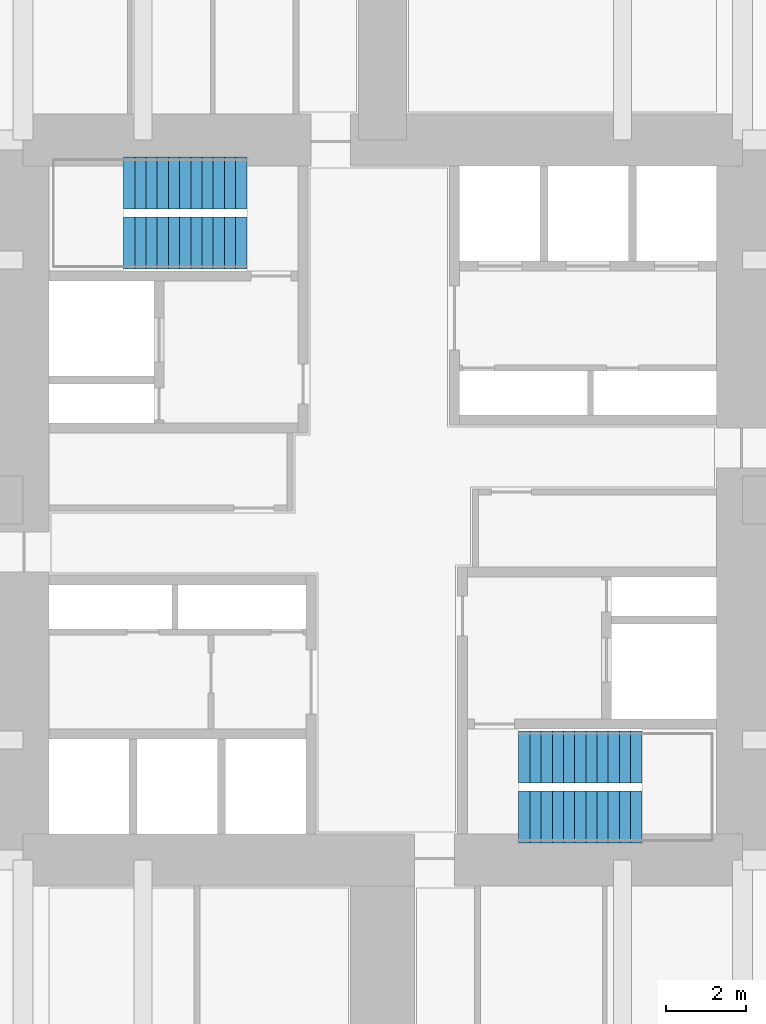
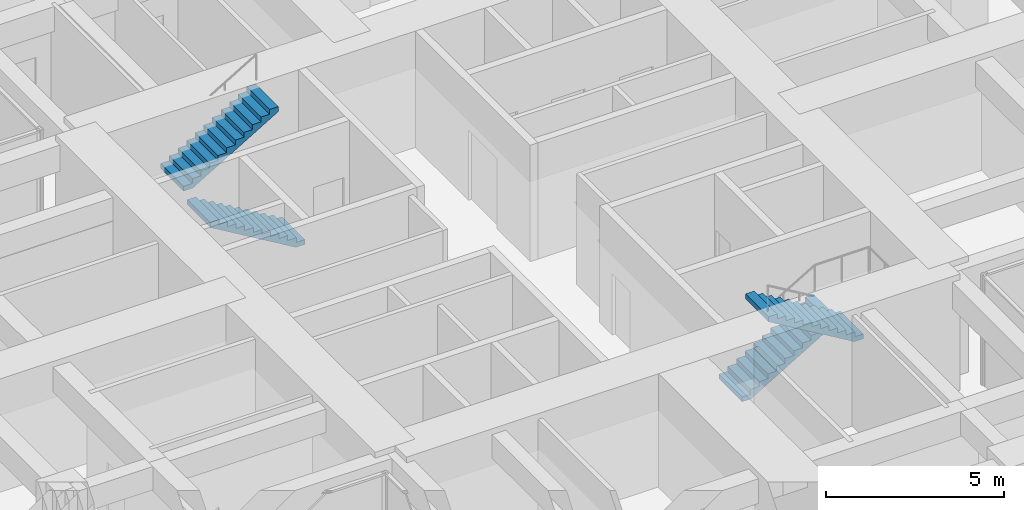
# One storey, part 12 of 13: 4 stair flights, 2 elements without a shape of their own.
"""IFC4 building model written with IfcOpenShell, lengths in metres."""

from ifc_helpers import new_model, si_unit, direction, frame, origin, place, context, subcontext, project, spatial, polyline, outline, extrude, material, type_object, element, aggregate, save


model = new_model("IFC4")

# Units and contexts
model_context = context("Model", 3, precision=1e-05, world=origin(), true_north=direction((0.0, 1.0)))
body_context = subcontext(model_context, "Body", "Model", "MODEL_VIEW")
ifc_project = project(units=[si_unit("LENGTHUNIT", "METRE"), si_unit("AREAUNIT", "SQUARE_METRE"), si_unit("VOLUMEUNIT", "CUBIC_METRE"), si_unit("PLANEANGLEUNIT", "RADIAN"), si_unit("MASSUNIT", "GRAM", prefix="KILO")], contexts=[model_context])

# Site, building, storey
site_placement = place(None, origin())
site = spatial("IfcSite", under=ifc_project, at=site_placement, CompositionType="ELEMENT")
building_placement = place(site_placement, origin())
building = spatial("IfcBuilding", under=site, at=building_placement, Name="Torre Cruceta", CompositionType="ELEMENT")
storey_placement = place(building_placement, frame((0.0, 0.0, 55.5)))
storey = spatial("IfcBuildingStorey", under=building, at=storey_placement, Name="L13", CompositionType="ELEMENT", Elevation=55.5)

# Stair, stair flights
ifc_material_1 = material(Name="Concrete G30 (fck 30 MPa)", Category="concrete")
stair_type = type_object("IfcStairType", Name="STAIR HALF-TURN 1300", PredefinedType="HALF_TURN_STAIR", material=ifc_material_1)
stair_1_placement = place(storey_placement, origin())
stair_1 = element("IfcStair", 1, at=stair_1_placement, inside=storey, type_object=stair_type, Name="Stair ST1 L13", PredefinedType="HALF_TURN_STAIR")
ifc_material_2 = material(Name="Concrete G30 (fck 30 MPa)", Category="concrete")
stair_flight_type = type_object("IfcStairFlightType", Name="STAIR FLIGHT 1300", PredefinedType="STRAIGHT", material=ifc_material_2)
stair_flight_1_placement = place(storey_placement, frame((-3.39990234375, 6.425048828125, 0.0), z_axis=(0.0, 0.0, 1.0), x_axis=(-1.0, 0.0, 0.0)))
stair_flight_1 = element("IfcStairFlight", 2, at=stair_flight_1_placement, type_object=stair_flight_type, Name="ST1 flight 1", NumberOfRisers=12, NumberOfTreads=11, PredefinedType="STRAIGHT", RiserHeight=0.166666667, TreadLength=0.28, context=body_context, shape_type="SweptSolid", body=[
    extrude(outline(polyline([(0.0, 0.0), (0.0, 0.166748046875), (0.280029296875, 0.166748046875), (0.280029296875, 0.333251953125), (0.56005859375, 0.333251953125), (0.56005859375, 0.5), (0.840087890625, 0.5), (0.840087890625, 0.666748046875), (1.1201171875, 0.666748046875), (1.1201171875, 0.833251953125), (1.39990234375, 0.833251953125), (1.39990234375, 1.0), (1.679931640625, 1.0), (1.679931640625, 1.166748046875), (1.9599609375, 1.166748046875), (1.9599609375, 1.333251953125), (2.239990234375, 1.333251953125), (2.239990234375, 1.5), (2.52001953125, 1.5), (2.52001953125, 1.666748046875), (2.800048828125, 1.666748046875), (2.800048828125, 1.833251953125), (3.080078125, 1.833251953125), (3.080078125, 2.0), (3.080078125, 1.658935546875), (0.29296875, 0.0), (0.0, 0.0)])), frame((0.0, 0.64990234375, 0.0), z_axis=(0.0, -1.0, 0.0), x_axis=(1.0, 0.0, 0.0)), (0.0, 0.0, 1.0), 1.300048828125),
])
stair_flight_2_placement = place(storey_placement, frame((-6.47998046875, 7.925048828125, 2.0), z_axis=(0.0, 0.0, 1.0), x_axis=(1.0, 0.0, 0.0)))
stair_flight_2 = element("IfcStairFlight", 3, at=stair_flight_2_placement, type_object=stair_flight_type, Name="ST1 flight 2", NumberOfRisers=12, NumberOfTreads=11, PredefinedType="STRAIGHT", RiserHeight=0.166666667, TreadLength=0.28, context=body_context, shape_type="SweptSolid", body=[
    extrude(outline(polyline([(0.0, 0.0), (0.0, 0.166748046875), (0.280029296875, 0.166748046875), (0.280029296875, 0.333251953125), (0.56005859375, 0.333251953125), (0.56005859375, 0.5), (0.840087890625, 0.5), (0.840087890625, 0.666748046875), (1.1201171875, 0.666748046875), (1.1201171875, 0.833251953125), (1.39990234375, 0.833251953125), (1.39990234375, 1.0), (1.679931640625, 1.0), (1.679931640625, 1.166748046875), (1.9599609375, 1.166748046875), (1.9599609375, 1.333251953125), (2.239990234375, 1.333251953125), (2.239990234375, 1.5), (2.52001953125, 1.5), (2.52001953125, 1.666748046875), (2.800048828125, 1.666748046875), (2.800048828125, 1.833251953125), (3.080078125, 1.833251953125), (3.080078125, 2.0), (3.080078125, 1.658935546875), (0.29296875, 0.0), (0.0, 0.0)])), frame((0.0, 0.64990234375, 0.0), z_axis=(0.0, -1.0, 0.0), x_axis=(1.0, 0.0, 0.0)), (0.0, 0.0, 1.0), 1.300048828125),
])
aggregate(stair_1, [stair_flight_1, stair_flight_2])

stair_2_placement = place(storey_placement, origin())
stair_2 = element("IfcStair", 4, at=stair_2_placement, inside=storey, type_object=stair_type, Name="Stair ST2 L13", PredefinedType="HALF_TURN_STAIR")
stair_flight_3_placement = place(storey_placement, frame((3.39990234375, -6.425048828125, 0.0), z_axis=(0.0, 0.0, 1.0), x_axis=(1.0, 0.0, 0.0)))
stair_flight_3 = element("IfcStairFlight", 5, at=stair_flight_3_placement, type_object=stair_flight_type, Name="ST2 flight 1", NumberOfRisers=12, NumberOfTreads=11, PredefinedType="STRAIGHT", RiserHeight=0.166666667, TreadLength=0.28, context=body_context, shape_type="SweptSolid", body=[
    extrude(outline(polyline([(0.0, 0.0), (0.0, 0.166748046875), (0.280029296875, 0.166748046875), (0.280029296875, 0.333251953125), (0.56005859375, 0.333251953125), (0.56005859375, 0.5), (0.840087890625, 0.5), (0.840087890625, 0.666748046875), (1.1201171875, 0.666748046875), (1.1201171875, 0.833251953125), (1.39990234375, 0.833251953125), (1.39990234375, 1.0), (1.679931640625, 1.0), (1.679931640625, 1.166748046875), (1.9599609375, 1.166748046875), (1.9599609375, 1.333251953125), (2.239990234375, 1.333251953125), (2.239990234375, 1.5), (2.52001953125, 1.5), (2.52001953125, 1.666748046875), (2.800048828125, 1.666748046875), (2.800048828125, 1.833251953125), (3.080078125, 1.833251953125), (3.080078125, 2.0), (3.080078125, 1.658935546875), (0.29296875, 0.0), (0.0, 0.0)])), frame((0.0, 0.64990234375, 0.0), z_axis=(0.0, -1.0, 0.0), x_axis=(1.0, 0.0, 0.0)), (0.0, 0.0, 1.0), 1.300048828125),
])
stair_flight_4_placement = place(storey_placement, frame((6.47998046875, -7.925048828125, 2.0), z_axis=(0.0, 0.0, 1.0), x_axis=(-1.0, 0.0, 0.0)))
stair_flight_4 = element("IfcStairFlight", 6, at=stair_flight_4_placement, type_object=stair_flight_type, Name="ST2 flight 2", NumberOfRisers=12, NumberOfTreads=11, PredefinedType="STRAIGHT", RiserHeight=0.166666667, TreadLength=0.28, context=body_context, shape_type="SweptSolid", body=[
    extrude(outline(polyline([(0.0, 0.0), (0.0, 0.166748046875), (0.280029296875, 0.166748046875), (0.280029296875, 0.333251953125), (0.56005859375, 0.333251953125), (0.56005859375, 0.5), (0.840087890625, 0.5), (0.840087890625, 0.666748046875), (1.1201171875, 0.666748046875), (1.1201171875, 0.833251953125), (1.39990234375, 0.833251953125), (1.39990234375, 1.0), (1.679931640625, 1.0), (1.679931640625, 1.166748046875), (1.9599609375, 1.166748046875), (1.9599609375, 1.333251953125), (2.239990234375, 1.333251953125), (2.239990234375, 1.5), (2.52001953125, 1.5), (2.52001953125, 1.666748046875), (2.800048828125, 1.666748046875), (2.800048828125, 1.833251953125), (3.080078125, 1.833251953125), (3.080078125, 2.0), (3.080078125, 1.658935546875), (0.29296875, 0.0), (0.0, 0.0)])), frame((0.0, 0.64990234375, 0.0), z_axis=(0.0, -1.0, 0.0), x_axis=(1.0, 0.0, 0.0)), (0.0, 0.0, 1.0), 1.300048828125),
])
aggregate(stair_2, [stair_flight_3, stair_flight_4])

save(model, "model.ifc")
